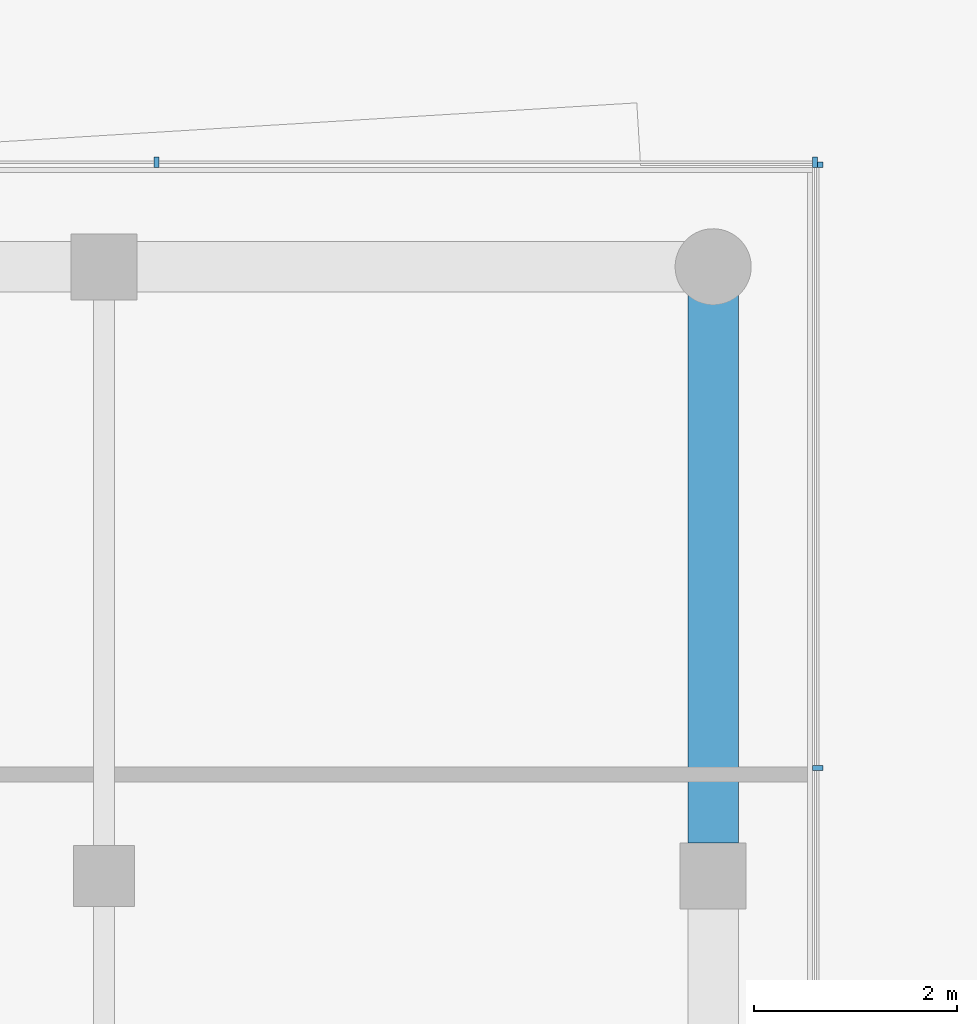
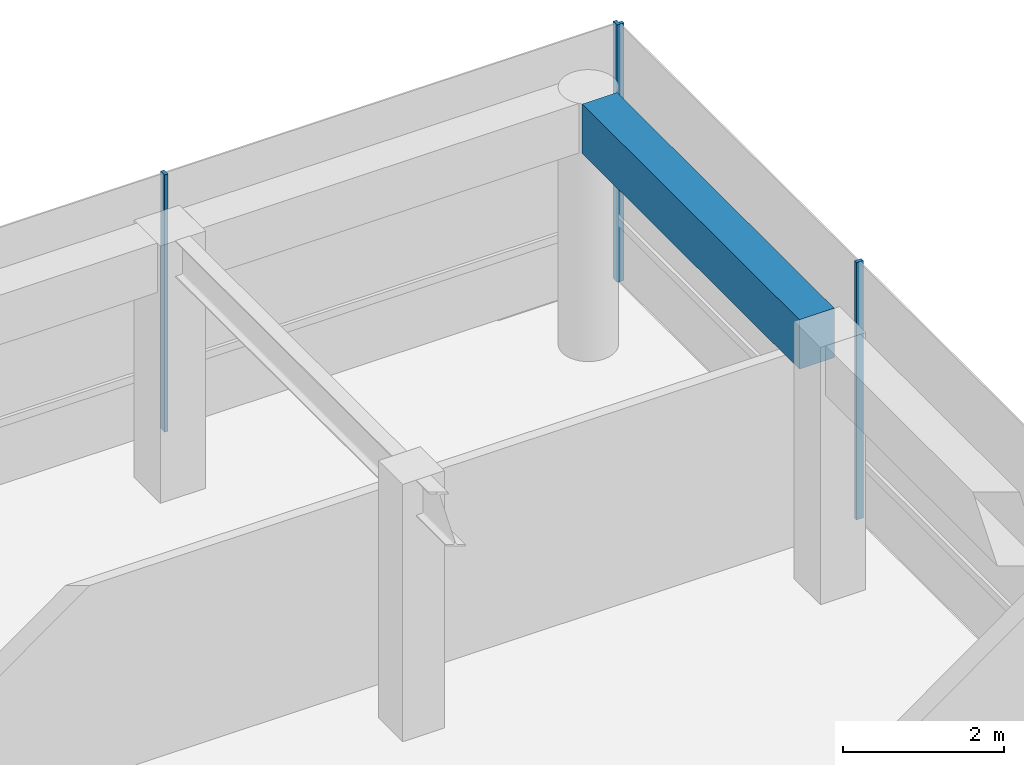
# One storey, part 16 of 22: 4 members, 1 beam, 2 elements without a shape of their own.
"""IFC4 building model written with IfcOpenShell, lengths in metres."""

from ifc_helpers import new_model, si_unit, direction, frame, origin, origin_2d, place, context, subcontext, project, spatial, rectangle, extrude, material, layer, layer_set, material_profile, profile_set, type_object, element, aggregate, save


model = new_model("IFC4")

# Units and contexts
model_context = context("Model", 3, precision=1e-05, world=origin(), true_north=direction((0.0, 1.0)))
body_context = subcontext(model_context, "Body", "Model", "MODEL_VIEW")
ifc_project = project(units=[si_unit("LENGTHUNIT", "METRE"), si_unit("AREAUNIT", "SQUARE_METRE"), si_unit("VOLUMEUNIT", "CUBIC_METRE"), si_unit("PLANEANGLEUNIT", "RADIAN"), si_unit("MASSUNIT", "GRAM", prefix="KILO")], contexts=[model_context])

# Site, building, storey
site_placement = place(None, origin())
site = spatial("IfcSite", under=ifc_project, at=site_placement, CompositionType="ELEMENT")
building_placement = place(site_placement, origin())
building = spatial("IfcBuilding", under=site, at=building_placement, Name="Welwitschia Terrace Campus", CompositionType="ELEMENT")
storey_placement = place(building_placement, frame((0.0, 0.0, 318.800048828125)))
storey = spatial("IfcBuildingStorey", under=building, at=storey_placement, Name="L71", CompositionType="ELEMENT", Elevation=318.800048828125)

# Curtain wall, members
ifc_material_1 = material(Name="Bronze anodised aluminium", Category="aluminium")
ifc_layer = layer(ifc_material_1, 0.10009765625)
ifc_layer_set = layer_set([ifc_layer], Name="Bronze anodised aluminium")
curtain_wall_type = type_object("IfcCurtainWallType", Name="Curtain wall CW5 crown 6000", PredefinedType="NOTDEFINED", material=ifc_layer_set)
curtain_wall_1_placement = place(storey_placement, origin())
curtain_wall_1 = element("IfcCurtainWall", 1, at=curtain_wall_1_placement, inside=storey, type_object=curtain_wall_type, Name="CW L71.5.0", PredefinedType="NOTDEFINED")
ifc_material_2 = material(Name="Bronze anodised aluminium", Category="aluminium")
ifc_material_profile_1 = material_profile(ifc_material_2, rectangle(XDim=0.10009765625, YDim=0.050048828125, at=origin_2d()))
ifc_profile_set_1 = profile_set([ifc_material_profile_1], Name="Bronze anodised aluminium")
member_type = type_object("IfcMemberType", Name="Mullion 50x100", PredefinedType="MULLION", material=ifc_profile_set_1)
member_1_placement = place(storey_placement, frame((25.030029296875, 45.064208984375, 0.0), z_axis=(0.0, 0.0, 1.0), x_axis=(-1.0, 0.0, 0.0)))
member_1 = element("IfcMember", 2, at=member_1_placement, type_object=member_type, Name="Mullion L71.5.0.4", PredefinedType="MULLION", context=body_context, shape_type="SweptSolid", body=[
    extrude(rectangle(XDim=0.10009765625, YDim=0.050048828125, at=origin_2d()), origin(), (0.0, 0.0, 1.0), 3.89990234375),
])
member_2_placement = place(storey_placement, frame((25.030029296875, 51.0048828125, 0.0), z_axis=(0.0, 0.0, 1.0), x_axis=(-1.0, 0.0, 0.0)))
member_2 = element("IfcMember", 3, at=member_2_placement, type_object=member_type, Name="Mullion L71.5.0.5", PredefinedType="MULLION", context=body_context, shape_type="SweptSolid", body=[
    extrude(rectangle(XDim=0.10009765625, YDim=0.050048828125, at=origin_2d()), origin(), (0.0, 0.0, 1.0), 3.89990234375),
])
aggregate(curtain_wall_1, [member_1, member_2])

curtain_wall_2_placement = place(storey_placement, origin())
curtain_wall_2 = element("IfcCurtainWall", 4, at=curtain_wall_2_placement, inside=storey, type_object=curtain_wall_type, Name="CW L71.6.0", PredefinedType="NOTDEFINED")
member_3_placement = place(storey_placement, frame((25.0048828125, 51.030029296875, 0.0), z_axis=(0.0, 0.0, 1.0), x_axis=(0.0, -1.0, 0.0)))
member_3 = element("IfcMember", 5, at=member_3_placement, type_object=member_type, Name="Mullion L71.6.0.0", PredefinedType="MULLION", context=body_context, shape_type="SweptSolid", body=[
    extrude(rectangle(XDim=0.10009765625, YDim=0.050048828125, at=origin_2d()), origin(), (0.0, 0.0, 1.0), 3.89990234375),
])
member_4_placement = place(storey_placement, frame((18.514892578125, 51.030029296875, 0.0), z_axis=(0.0, 0.0, 1.0), x_axis=(0.0, -1.0, 0.0)))
member_4 = element("IfcMember", 6, at=member_4_placement, type_object=member_type, Name="Mullion L71.6.0.1", PredefinedType="MULLION", context=body_context, shape_type="SweptSolid", body=[
    extrude(rectangle(XDim=0.10009765625, YDim=0.050048828125, at=origin_2d()), origin(), (0.0, 0.0, 1.0), 3.89990234375),
])
aggregate(curtain_wall_2, [member_3, member_4])

# Beam
ifc_material_3 = material(Name="Concrete C40/50", Category="concrete")
ifc_material_profile_2 = material_profile(ifc_material_3, rectangle(XDim=0.5, YDim=0.75, at=origin_2d()))
ifc_profile_set_2 = profile_set([ifc_material_profile_2], Name="Concrete C40/50")
beam_type = type_object("IfcBeamType", Name="Ring spandrel 500x750", PredefinedType="SPANDREL", material=ifc_profile_set_2)
beam_placement = place(storey_placement, frame((24.0, 44.325439453125, 3.52490234375), z_axis=(0.0, 1.0, 0.0), x_axis=(-1.0, 0.0, 0.0)))
element("IfcBeam", 7, at=beam_placement, inside=storey, type_object=beam_type, Name="Spandrel SP5", PredefinedType="SPANDREL", context=body_context, shape_type="SweptSolid", body=[
    extrude(rectangle(XDim=0.5, YDim=0.75, at=origin_2d()), origin(), (0.0, 0.0, 1.0), 5.39404296875),
])

save(model, "model.ifc")
